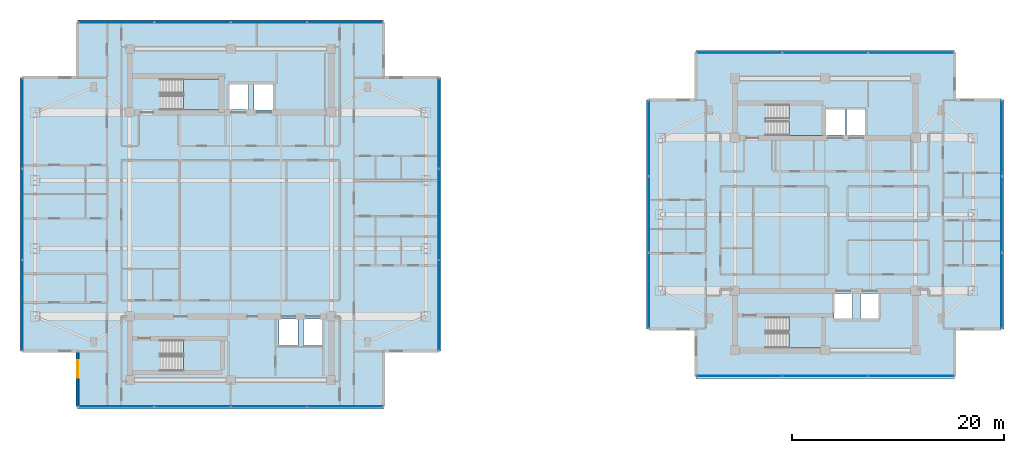
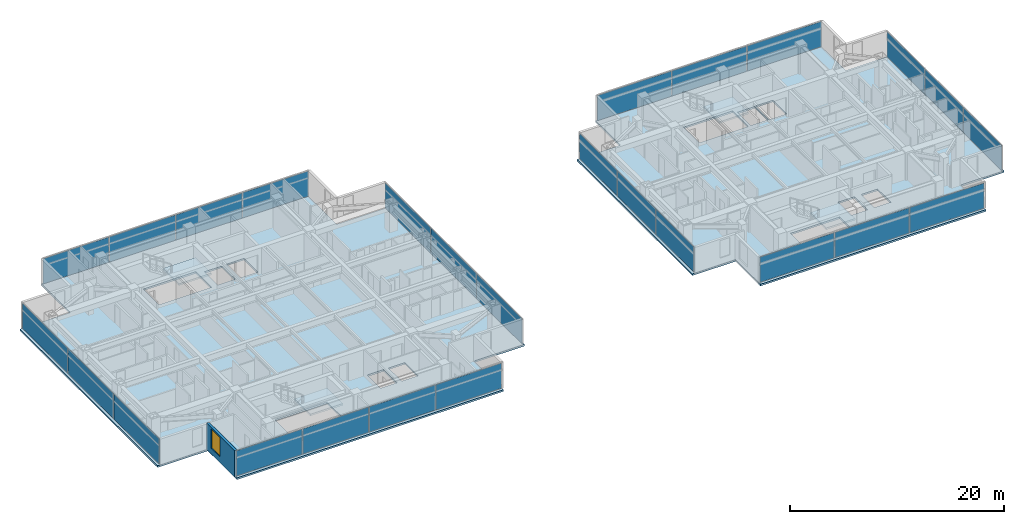
# One storey, part 11 of 24: 26 plates, 6 slabs, 1 wall, 1 window, 1 opening, 12 elements without a shape of their own.
"""IFC4 building model written with IfcOpenShell, lengths in metres."""

from ifc_helpers import new_model, si_unit, direction, frame, frame_2d, origin, origin_2d, place, context, subcontext, project, spatial, polyline, rectangle, outline, extrude, material, layer, layer_set, type_object, element, fill, aggregate, save


model = new_model("IFC4")

# Units and contexts
model_context = context("Model", 3, precision=1e-05, world=origin(), true_north=direction((0.0, 1.0)))
body_context = subcontext(model_context, "Body", "Model", "MODEL_VIEW")
ifc_project = project(units=[si_unit("LENGTHUNIT", "METRE"), si_unit("AREAUNIT", "SQUARE_METRE"), si_unit("VOLUMEUNIT", "CUBIC_METRE"), si_unit("PLANEANGLEUNIT", "RADIAN"), si_unit("MASSUNIT", "GRAM", prefix="KILO")], contexts=[model_context])

# Site, building, storey
site_placement = place(None, origin())
site = spatial("IfcSite", under=ifc_project, at=site_placement, CompositionType="ELEMENT")
building_placement = place(site_placement, origin())
building = spatial("IfcBuilding", under=site, at=building_placement, Name="Mirazonda Arch Towers", CompositionType="ELEMENT")
storey_placement = place(building_placement, frame((0.0, 0.0, 186.89990234375)))
storey = spatial("IfcBuildingStorey", under=building, at=storey_placement, Name="L53", CompositionType="ELEMENT", Elevation=186.89990234375)

# Curtain wall, plates
ifc_material_1 = material(Name="Anodised Aluminium and Low-E Glass", Category="aluminium")
curtain_wall_type = type_object("IfcCurtainWallType", Name="CW-RES-UNIT", PredefinedType="NOTDEFINED", material=ifc_material_1)
curtain_wall_1_placement = place(storey_placement, origin())
curtain_wall_1 = element("IfcCurtainWall", 1, at=curtain_wall_1_placement, inside=storey, type_object=curtain_wall_type, Name="L53 T1 S Facade CW-L53-T1-S", PredefinedType="NOTDEFINED")
ifc_material_2 = material(Name="Insulated Low-E Solar Glass", Category="glass")
ifc_layer_1 = layer(ifc_material_2, 0.0400390625, Name="PAN-CW-RES-UNIT")
ifc_layer_set_1 = layer_set([ifc_layer_1], Name="Insulated Low-E Solar Glass")
plate_type = type_object("IfcPlateType", Name="PAN-CW-RES-UNIT", PredefinedType="CURTAIN_PANEL", material=ifc_layer_set_1)
plate_1_placement = place(storey_placement, frame((31.277587890625, 9.912109375, 0.0751953125), z_axis=(0.0, 0.0, 1.0), x_axis=(-1.0, 0.0, 0.0)))
plate_1 = element("IfcPlate", 2, at=plate_1_placement, type_object=plate_type, Name="CW-104 panel 1.1", PredefinedType="CURTAIN_PANEL", context=body_context, shape_type="SweptSolid", body=[
    extrude(rectangle(XDim=7.0849609375, YDim=0.0400390625, at=origin_2d()), origin(), (0.0, 0.0, 1.0), 2.8798828125),
])
plate_2_placement = place(storey_placement, frame((24.0986328125, 9.912109375, 0.0751953125), z_axis=(0.0, 0.0, 1.0), x_axis=(-1.0, 0.0, 0.0)))
plate_2 = element("IfcPlate", 3, at=plate_2_placement, type_object=plate_type, Name="CW-104 panel 2.1", PredefinedType="CURTAIN_PANEL", context=body_context, shape_type="SweptSolid", body=[
    extrude(rectangle(XDim=7.12255859375, YDim=0.0400390625, at=origin_2d()), origin(), (0.0, 0.0, 1.0), 2.8798828125),
])
plate_3_placement = place(storey_placement, frame((16.9013671875, 9.912109375, 0.0751953125), z_axis=(0.0, 0.0, 1.0), x_axis=(-1.0, 0.0, 0.0)))
plate_3 = element("IfcPlate", 4, at=plate_3_placement, type_object=plate_type, Name="CW-104 panel 3.1", PredefinedType="CURTAIN_PANEL", context=body_context, shape_type="SweptSolid", body=[
    extrude(rectangle(XDim=7.12255859375, YDim=0.0400390625, at=origin_2d()), origin(), (0.0, 0.0, 1.0), 2.8798828125),
])
plate_4_placement = place(storey_placement, frame((9.722412109375, 9.912109375, 0.0751953125), z_axis=(0.0, 0.0, 1.0), x_axis=(-1.0, 0.0, 0.0)))
plate_4 = element("IfcPlate", 5, at=plate_4_placement, type_object=plate_type, Name="CW-104 panel 4.1", PredefinedType="CURTAIN_PANEL", context=body_context, shape_type="SweptSolid", body=[
    extrude(rectangle(XDim=7.0849609375, YDim=0.0400390625, at=origin_2d()), origin(), (0.0, 0.0, 1.0), 2.8798828125),
])
aggregate(curtain_wall_1, [plate_1, plate_2, plate_3, plate_4])

curtain_wall_2_placement = place(storey_placement, origin())
curtain_wall_2 = element("IfcCurtainWall", 6, at=curtain_wall_2_placement, inside=storey, type_object=curtain_wall_type, Name="L53 T1 E Facade CW-L53-T1-E", PredefinedType="NOTDEFINED")
plate_5_placement = place(storey_placement, frame((40.110107421875, 19.436767578125, 0.0751953125), z_axis=(0.0, 0.0, 1.0), x_axis=(0.0, 1.0, 0.0)))
plate_5 = element("IfcPlate", 7, at=plate_5_placement, type_object=plate_type, Name="CW-104 panel 1.1", PredefinedType="CURTAIN_PANEL", context=body_context, shape_type="SweptSolid", body=[
    extrude(rectangle(XDim=8.469482421875, YDim=0.0400390625, at=origin_2d()), origin(), (0.0, 0.0, 1.0), 2.8798828125),
])
plate_6_placement = place(storey_placement, frame((40.110107421875, 28.0, 0.0751953125), z_axis=(0.0, 0.0, 1.0), x_axis=(0.0, 1.0, 0.0)))
plate_6 = element("IfcPlate", 8, at=plate_6_placement, type_object=plate_type, Name="CW-104 panel 2.1", PredefinedType="CURTAIN_PANEL", context=body_context, shape_type="SweptSolid", body=[
    extrude(rectangle(XDim=8.507080078125, YDim=0.0400390625, at=origin_2d()), origin(), (0.0, 0.0, 1.0), 2.8798828125),
])
plate_7_placement = place(storey_placement, frame((40.110107421875, 36.563232421875, 0.0751953125), z_axis=(0.0, 0.0, 1.0), x_axis=(0.0, 1.0, 0.0)))
plate_7 = element("IfcPlate", 9, at=plate_7_placement, type_object=plate_type, Name="CW-104 panel 3.1", PredefinedType="CURTAIN_PANEL", context=body_context, shape_type="SweptSolid", body=[
    extrude(rectangle(XDim=8.469482421875, YDim=0.0400390625, at=origin_2d()), origin(), (0.0, 0.0, 1.0), 2.8798828125),
])
aggregate(curtain_wall_2, [plate_5, plate_6, plate_7])

curtain_wall_3_placement = place(storey_placement, origin())
curtain_wall_3 = element("IfcCurtainWall", 10, at=curtain_wall_3_placement, inside=storey, type_object=curtain_wall_type, Name="L53 T1 N Facade CW-L53-T1-N", PredefinedType="NOTDEFINED")
plate_8_placement = place(storey_placement, frame((9.722412109375, 46.087890625, 0.0751953125), z_axis=(0.0, 0.0, 1.0), x_axis=(1.0, 0.0, 0.0)))
plate_8 = element("IfcPlate", 11, at=plate_8_placement, type_object=plate_type, Name="CW-104 panel 1.1", PredefinedType="CURTAIN_PANEL", context=body_context, shape_type="SweptSolid", body=[
    extrude(rectangle(XDim=7.0849609375, YDim=0.0400390625, at=origin_2d()), origin(), (0.0, 0.0, 1.0), 2.8798828125),
])
plate_9_placement = place(storey_placement, frame((16.9013671875, 46.087890625, 0.0751953125), z_axis=(0.0, 0.0, 1.0), x_axis=(1.0, 0.0, 0.0)))
plate_9 = element("IfcPlate", 12, at=plate_9_placement, type_object=plate_type, Name="CW-104 panel 2.1", PredefinedType="CURTAIN_PANEL", context=body_context, shape_type="SweptSolid", body=[
    extrude(rectangle(XDim=7.12255859375, YDim=0.0400390625, at=origin_2d()), origin(), (0.0, 0.0, 1.0), 2.8798828125),
])
plate_10_placement = place(storey_placement, frame((24.0986328125, 46.087890625, 0.0751953125), z_axis=(0.0, 0.0, 1.0), x_axis=(1.0, 0.0, 0.0)))
plate_10 = element("IfcPlate", 13, at=plate_10_placement, type_object=plate_type, Name="CW-104 panel 3.1", PredefinedType="CURTAIN_PANEL", context=body_context, shape_type="SweptSolid", body=[
    extrude(rectangle(XDim=7.12255859375, YDim=0.0400390625, at=origin_2d()), origin(), (0.0, 0.0, 1.0), 2.8798828125),
])
plate_11_placement = place(storey_placement, frame((31.277587890625, 46.087890625, 0.0751953125), z_axis=(0.0, 0.0, 1.0), x_axis=(1.0, 0.0, 0.0)))
plate_11 = element("IfcPlate", 14, at=plate_11_placement, type_object=plate_type, Name="CW-104 panel 4.1", PredefinedType="CURTAIN_PANEL", context=body_context, shape_type="SweptSolid", body=[
    extrude(rectangle(XDim=7.0849609375, YDim=0.0400390625, at=origin_2d()), origin(), (0.0, 0.0, 1.0), 2.8798828125),
])
aggregate(curtain_wall_3, [plate_8, plate_9, plate_10, plate_11])

curtain_wall_4_placement = place(storey_placement, origin())
curtain_wall_4 = element("IfcCurtainWall", 15, at=curtain_wall_4_placement, inside=storey, type_object=curtain_wall_type, Name="L53 T1 W Facade CW-L53-T1-W", PredefinedType="NOTDEFINED")
plate_12_placement = place(storey_placement, frame((0.889892578125, 36.563232421875, 0.0751953125), z_axis=(0.0, 0.0, 1.0), x_axis=(0.0, -1.0, 0.0)))
plate_12 = element("IfcPlate", 16, at=plate_12_placement, type_object=plate_type, Name="CW-104 panel 1.1", PredefinedType="CURTAIN_PANEL", context=body_context, shape_type="SweptSolid", body=[
    extrude(rectangle(XDim=8.469482421875, YDim=0.0400390625, at=origin_2d()), origin(), (0.0, 0.0, 1.0), 2.8798828125),
])
plate_13_placement = place(storey_placement, frame((0.889892578125, 28.0, 0.0751953125), z_axis=(0.0, 0.0, 1.0), x_axis=(0.0, -1.0, 0.0)))
plate_13 = element("IfcPlate", 17, at=plate_13_placement, type_object=plate_type, Name="CW-104 panel 2.1", PredefinedType="CURTAIN_PANEL", context=body_context, shape_type="SweptSolid", body=[
    extrude(rectangle(XDim=8.507080078125, YDim=0.0400390625, at=origin_2d()), origin(), (0.0, 0.0, 1.0), 2.8798828125),
])
plate_14_placement = place(storey_placement, frame((0.889892578125, 19.436767578125, 0.0751953125), z_axis=(0.0, 0.0, 1.0), x_axis=(0.0, -1.0, 0.0)))
plate_14 = element("IfcPlate", 18, at=plate_14_placement, type_object=plate_type, Name="CW-104 panel 3.1", PredefinedType="CURTAIN_PANEL", context=body_context, shape_type="SweptSolid", body=[
    extrude(rectangle(XDim=8.469482421875, YDim=0.0400390625, at=origin_2d()), origin(), (0.0, 0.0, 1.0), 2.8798828125),
])
aggregate(curtain_wall_4, [plate_12, plate_13, plate_14])

curtain_wall_5_placement = place(storey_placement, origin())
curtain_wall_5 = element("IfcCurtainWall", 19, at=curtain_wall_5_placement, inside=storey, type_object=curtain_wall_type, Name="L53 T2 S Facade CW-L53-T2-S", PredefinedType="NOTDEFINED")
plate_15_placement = place(storey_placement, frame((84.598388671875, 12.7783203125, 0.0751953125), z_axis=(0.0, 0.0, 1.0), x_axis=(-1.0, 0.0, 0.0)))
plate_15 = element("IfcPlate", 20, at=plate_15_placement, type_object=plate_type, Name="CW-104 panel 1.1", PredefinedType="CURTAIN_PANEL", context=body_context, shape_type="SweptSolid", body=[
    extrude(rectangle(XDim=8.004638671875, YDim=0.0400390625, at=origin_2d()), origin(), (0.0, 0.0, 1.0), 2.8798828125),
])
plate_16_placement = place(storey_placement, frame((76.5, 12.7783203125, 0.0751953125), z_axis=(0.0, 0.0, 1.0), x_axis=(-1.0, 0.0, 0.0)))
plate_16 = element("IfcPlate", 21, at=plate_16_placement, type_object=plate_type, Name="CW-104 panel 2.1", PredefinedType="CURTAIN_PANEL", context=body_context, shape_type="SweptSolid", body=[
    extrude(rectangle(XDim=8.042236328125, YDim=0.0400390625, at=origin_2d()), origin(), (0.0, 0.0, 1.0), 2.8798828125),
])
plate_17_placement = place(storey_placement, frame((68.401611328125, 12.7783203125, 0.0751953125), z_axis=(0.0, 0.0, 1.0), x_axis=(-1.0, 0.0, 0.0)))
plate_17 = element("IfcPlate", 22, at=plate_17_placement, type_object=plate_type, Name="CW-104 panel 3.1", PredefinedType="CURTAIN_PANEL", context=body_context, shape_type="SweptSolid", body=[
    extrude(rectangle(XDim=8.004638671875, YDim=0.0400390625, at=origin_2d()), origin(), (0.0, 0.0, 1.0), 2.8798828125),
])
aggregate(curtain_wall_5, [plate_15, plate_16, plate_17])

curtain_wall_6_placement = place(storey_placement, origin())
curtain_wall_6 = element("IfcCurtainWall", 23, at=curtain_wall_6_placement, inside=storey, type_object=curtain_wall_type, Name="L53 T2 E Facade CW-L53-T2-E", PredefinedType="NOTDEFINED")
plate_18_placement = place(storey_placement, frame((93.115478515625, 20.83056640625, 0.0751953125), z_axis=(0.0, 0.0, 1.0), x_axis=(0.0, 1.0, 0.0)))
plate_18 = element("IfcPlate", 24, at=plate_18_placement, type_object=plate_type, Name="CW-104 panel 1.1", PredefinedType="CURTAIN_PANEL", context=body_context, shape_type="SweptSolid", body=[
    extrude(rectangle(XDim=7.07568359375, YDim=0.0400390625, at=origin_2d()), origin(), (0.0, 0.0, 1.0), 2.8798828125),
])
plate_19_placement = place(storey_placement, frame((93.115478515625, 28.0, 0.0751953125), z_axis=(0.0, 0.0, 1.0), x_axis=(0.0, 1.0, 0.0)))
plate_19 = element("IfcPlate", 25, at=plate_19_placement, type_object=plate_type, Name="CW-104 panel 2.1", PredefinedType="CURTAIN_PANEL", context=body_context, shape_type="SweptSolid", body=[
    extrude(rectangle(XDim=7.113037109375, YDim=0.0400390625, at=origin_2d()), origin(), (0.0, 0.0, 1.0), 2.8798828125),
])
plate_20_placement = place(storey_placement, frame((93.115478515625, 35.16943359375, 0.0751953125), z_axis=(0.0, 0.0, 1.0), x_axis=(0.0, 1.0, 0.0)))
plate_20 = element("IfcPlate", 26, at=plate_20_placement, type_object=plate_type, Name="CW-104 panel 3.1", PredefinedType="CURTAIN_PANEL", context=body_context, shape_type="SweptSolid", body=[
    extrude(rectangle(XDim=7.07568359375, YDim=0.0400390625, at=origin_2d()), origin(), (0.0, 0.0, 1.0), 2.8798828125),
])
aggregate(curtain_wall_6, [plate_18, plate_19, plate_20])

curtain_wall_7_placement = place(storey_placement, origin())
curtain_wall_7 = element("IfcCurtainWall", 27, at=curtain_wall_7_placement, inside=storey, type_object=curtain_wall_type, Name="L53 T2 N Facade CW-L53-T2-N", PredefinedType="NOTDEFINED")
plate_21_placement = place(storey_placement, frame((68.401611328125, 43.2216796875, 0.0751953125), z_axis=(0.0, 0.0, 1.0), x_axis=(1.0, 0.0, 0.0)))
plate_21 = element("IfcPlate", 28, at=plate_21_placement, type_object=plate_type, Name="CW-104 panel 1.1", PredefinedType="CURTAIN_PANEL", context=body_context, shape_type="SweptSolid", body=[
    extrude(rectangle(XDim=8.004638671875, YDim=0.0400390625, at=origin_2d()), origin(), (0.0, 0.0, 1.0), 2.8798828125),
])
plate_22_placement = place(storey_placement, frame((76.5, 43.2216796875, 0.0751953125), z_axis=(0.0, 0.0, 1.0), x_axis=(1.0, 0.0, 0.0)))
plate_22 = element("IfcPlate", 29, at=plate_22_placement, type_object=plate_type, Name="CW-104 panel 2.1", PredefinedType="CURTAIN_PANEL", context=body_context, shape_type="SweptSolid", body=[
    extrude(rectangle(XDim=8.042236328125, YDim=0.0400390625, at=origin_2d()), origin(), (0.0, 0.0, 1.0), 2.8798828125),
])
plate_23_placement = place(storey_placement, frame((84.598388671875, 43.2216796875, 0.0751953125), z_axis=(0.0, 0.0, 1.0), x_axis=(1.0, 0.0, 0.0)))
plate_23 = element("IfcPlate", 30, at=plate_23_placement, type_object=plate_type, Name="CW-104 panel 3.1", PredefinedType="CURTAIN_PANEL", context=body_context, shape_type="SweptSolid", body=[
    extrude(rectangle(XDim=8.004638671875, YDim=0.0400390625, at=origin_2d()), origin(), (0.0, 0.0, 1.0), 2.8798828125),
])
aggregate(curtain_wall_7, [plate_21, plate_22, plate_23])

curtain_wall_8_placement = place(storey_placement, origin())
curtain_wall_8 = element("IfcCurtainWall", 31, at=curtain_wall_8_placement, inside=storey, type_object=curtain_wall_type, Name="L53 T2 W Facade CW-L53-T2-W", PredefinedType="NOTDEFINED")
plate_24_placement = place(storey_placement, frame((59.884521484375, 35.16943359375, 0.0751953125), z_axis=(0.0, 0.0, 1.0), x_axis=(0.0, -1.0, 0.0)))
plate_24 = element("IfcPlate", 32, at=plate_24_placement, type_object=plate_type, Name="CW-104 panel 1.1", PredefinedType="CURTAIN_PANEL", context=body_context, shape_type="SweptSolid", body=[
    extrude(rectangle(XDim=7.07568359375, YDim=0.0400390625, at=origin_2d()), origin(), (0.0, 0.0, 1.0), 2.8798828125),
])
plate_25_placement = place(storey_placement, frame((59.884521484375, 28.0, 0.0751953125), z_axis=(0.0, 0.0, 1.0), x_axis=(0.0, -1.0, 0.0)))
plate_25 = element("IfcPlate", 33, at=plate_25_placement, type_object=plate_type, Name="CW-104 panel 2.1", PredefinedType="CURTAIN_PANEL", context=body_context, shape_type="SweptSolid", body=[
    extrude(rectangle(XDim=7.113037109375, YDim=0.0400390625, at=origin_2d()), origin(), (0.0, 0.0, 1.0), 2.8798828125),
])
plate_26_placement = place(storey_placement, frame((59.884521484375, 20.83056640625, 0.0751953125), z_axis=(0.0, 0.0, 1.0), x_axis=(0.0, -1.0, 0.0)))
plate_26 = element("IfcPlate", 34, at=plate_26_placement, type_object=plate_type, Name="CW-104 panel 3.1", PredefinedType="CURTAIN_PANEL", context=body_context, shape_type="SweptSolid", body=[
    extrude(rectangle(XDim=7.07568359375, YDim=0.0400390625, at=origin_2d()), origin(), (0.0, 0.0, 1.0), 2.8798828125),
])
aggregate(curtain_wall_8, [plate_24, plate_25, plate_26])

# Stair, slab
ifc_material_3 = material(Name="Concrete C40/50", Category="concrete")
stair_type = type_object("IfcStairType", Name="STAIR-CORE-1400", PredefinedType="HALF_TURN_STAIR", material=ifc_material_3)
stair_1_placement = place(storey_placement, origin())
stair_1 = element("IfcStair", 35, at=stair_1_placement, inside=storey, type_object=stair_type, Name="L53 Protected Exit Stair ST-T1N", PredefinedType="HALF_TURN_STAIR")
ifc_layer_2 = layer(ifc_material_3, 0.18994140625, Name="SLAB-LANDING-190")
ifc_layer_set_2 = layer_set([ifc_layer_2], Name="Concrete C40/50")
slab_type_1 = type_object("IfcSlabType", Name="SLAB-LANDING-190", PredefinedType="LANDING", material=ifc_layer_set_2)
slab_1_placement = place(storey_placement, frame((0.0, 0.0, 1.425048828125)))
slab_1 = element("IfcSlab", 36, at=slab_1_placement, type_object=slab_type_1, Name="ST-T1N landing 1", PredefinedType="LANDING", context=body_context, shape_type="SweptSolid", body=[
    extrude(outline(polyline([(16.090087890625, 37.820068359375), (19.60009765625, 37.820068359375), (19.60009765625, 40.760009765625), (16.090087890625, 40.760009765625), (16.090087890625, 37.820068359375)])), origin(), (0.0, 0.0, 1.0), 0.199951171875),
])
aggregate(stair_1, [slab_1])

stair_2_placement = place(storey_placement, origin())
stair_2 = element("IfcStair", 37, at=stair_2_placement, inside=storey, type_object=stair_type, Name="L53 Protected Exit Stair ST-T1S", PredefinedType="HALF_TURN_STAIR")
slab_2_placement = place(storey_placement, frame((0.0, 0.0, 1.425048828125)))
slab_2 = element("IfcSlab", 38, at=slab_2_placement, type_object=slab_type_1, Name="ST-T1S landing 1", PredefinedType="LANDING", context=body_context, shape_type="SweptSolid", body=[
    extrude(outline(polyline([(16.090087890625, 13.25), (19.60009765625, 13.25), (19.60009765625, 16.18994140625), (16.090087890625, 16.18994140625), (16.090087890625, 13.25)])), origin(), (0.0, 0.0, 1.0), 0.199951171875),
])
aggregate(stair_2, [slab_2])

stair_3_placement = place(storey_placement, origin())
stair_3 = element("IfcStair", 39, at=stair_3_placement, inside=storey, type_object=stair_type, Name="L53 Protected Exit Stair ST-T2N", PredefinedType="HALF_TURN_STAIR")
slab_3_placement = place(storey_placement, frame((0.0, 0.0, 1.425048828125)))
slab_3 = element("IfcSlab", 40, at=slab_3_placement, type_object=slab_type_1, Name="ST-T2N landing 1", PredefinedType="LANDING", context=body_context, shape_type="SweptSolid", body=[
    extrude(outline(polyline([(73.090087890625, 35.419921875), (76.22998046875, 35.419921875), (76.22998046875, 38.360107421875), (73.090087890625, 38.360107421875), (73.090087890625, 35.419921875)])), origin(), (0.0, 0.0, 1.0), 0.199951171875),
])
aggregate(stair_3, [slab_3])

stair_4_placement = place(storey_placement, origin())
stair_4 = element("IfcStair", 41, at=stair_4_placement, inside=storey, type_object=stair_type, Name="L53 Protected Exit Stair ST-T2S", PredefinedType="HALF_TURN_STAIR")
slab_4_placement = place(storey_placement, frame((0.0, 0.0, 1.425048828125)))
slab_4 = element("IfcSlab", 42, at=slab_4_placement, type_object=slab_type_1, Name="ST-T2S landing 1", PredefinedType="LANDING", context=body_context, shape_type="SweptSolid", body=[
    extrude(outline(polyline([(73.090087890625, 15.419921875), (76.22998046875, 15.419921875), (76.22998046875, 18.360107421875), (73.090087890625, 18.360107421875), (73.090087890625, 15.419921875)])), origin(), (0.0, 0.0, 1.0), 0.199951171875),
])
aggregate(stair_4, [slab_4])

# Slabs
ifc_layer_3 = layer(ifc_material_3, 0.199951171875, Name="SLAB-TWR-200")
ifc_layer_set_3 = layer_set([ifc_layer_3], Name="Concrete C40/50")
slab_type_2 = type_object("IfcSlabType", Name="SLAB-TWR-200", PredefinedType="FLOOR", material=ifc_layer_set_3)
slab_5_placement = place(storey_placement, frame((0.0, 0.0, -0.199951171875)))
element("IfcSlab", 43, at=slab_5_placement, inside=storey, type_object=slab_type_2, Name="L53 Tower 1 Floor Slab", PredefinedType="FLOOR", context=body_context, shape_type="SweptSolid", body=[
    extrude(outline(polyline([(6.10498046875, 9.69189453125), (34.89501953125, 9.69189453125), (34.89501953125, 15.126953125), (40.330078125, 15.126953125), (40.330078125, 40.873046875), (34.89501953125, 40.873046875), (34.89501953125, 46.30810546875), (6.10498046875, 46.30810546875), (6.10498046875, 40.873046875), (0.669921875, 40.873046875), (0.669921875, 15.126953125), (6.10498046875, 15.126953125), (6.10498046875, 9.69189453125)]), holes=[polyline([(27.360107421875, 18.139892578125), (29.139892578125, 18.139892578125), (29.139892578125, 15.659912109375), (27.360107421875, 15.659912109375), (27.360107421875, 18.139892578125)]), polyline([(25.06005859375, 18.139892578125), (26.840087890625, 18.139892578125), (26.840087890625, 15.659912109375), (25.06005859375, 15.659912109375), (25.06005859375, 18.139892578125)]), polyline([(22.7099609375, 40.389892578125), (24.590087890625, 40.389892578125), (24.590087890625, 37.81005859375), (22.7099609375, 37.81005859375), (22.7099609375, 40.389892578125)]), polyline([(20.31005859375, 37.860107421875), (20.31005859375, 40.340087890625), (22.18994140625, 40.340087890625), (22.18994140625, 37.860107421875), (20.31005859375, 37.860107421875)]), polyline([(19.60009765625, 13.25), (13.925048828125, 13.25), (13.925048828125, 16.18994140625), (19.60009765625, 16.18994140625), (19.60009765625, 13.25)]), polyline([(13.925048828125, 37.820068359375), (13.925048828125, 40.760009765625), (19.60009765625, 40.760009765625), (19.60009765625, 37.820068359375), (13.925048828125, 37.820068359375)])]), origin(), (0.0, 0.0, 1.0), 0.199951171875),
])
slab_6_placement = place(storey_placement, frame((0.0, 0.0, -0.199951171875)))
element("IfcSlab", 44, at=slab_6_placement, inside=storey, type_object=slab_type_2, Name="L53 Tower 2 Floor Slab", PredefinedType="FLOOR", context=body_context, shape_type="SweptSolid", body=[
    extrude(outline(polyline([(64.32421875, 12.55810546875), (88.67578125, 12.55810546875), (88.67578125, 17.218017578125), (93.33544921875, 17.218017578125), (93.33544921875, 38.781982421875), (88.67578125, 38.781982421875), (88.67578125, 43.44189453125), (64.32421875, 43.44189453125), (64.32421875, 38.781982421875), (59.66455078125, 38.781982421875), (59.66455078125, 17.218017578125), (64.32421875, 17.218017578125), (64.32421875, 12.55810546875)]), holes=[polyline([(79.81005859375, 20.5400390625), (81.590087890625, 20.5400390625), (81.590087890625, 18.06005859375), (79.81005859375, 18.06005859375), (79.81005859375, 20.5400390625)]), polyline([(78.47998046875, 37.989990234375), (80.360107421875, 37.989990234375), (80.360107421875, 35.409912109375), (78.47998046875, 35.409912109375), (78.47998046875, 37.989990234375)]), polyline([(77.31005859375, 20.5400390625), (79.090087890625, 20.5400390625), (79.090087890625, 18.06005859375), (77.31005859375, 18.06005859375), (77.31005859375, 20.5400390625)]), polyline([(76.510009765625, 35.4599609375), (76.510009765625, 37.93994140625), (78.389892578125, 37.93994140625), (78.389892578125, 35.4599609375), (76.510009765625, 35.4599609375)]), polyline([(76.22998046875, 15.419921875), (70.925048828125, 15.419921875), (70.925048828125, 18.360107421875), (76.22998046875, 18.360107421875), (76.22998046875, 15.419921875)]), polyline([(70.925048828125, 35.419921875), (70.925048828125, 38.360107421875), (76.22998046875, 38.360107421875), (76.22998046875, 35.419921875), (70.925048828125, 35.419921875)])]), origin(), (0.0, 0.0, 1.0), 0.199951171875),
])

# Wall, opening, window
ifc_material_4 = material(Name="Precast Concrete C40/50", Category="concrete")
ifc_layer_4 = layer(ifc_material_4, 0.280029296875, Name="WALL-EXT-WALL-280")
ifc_layer_set_4 = layer_set([ifc_layer_4], Name="Precast Concrete C40/50")
wall_type = type_object("IfcWallType", Name="WALL-EXT-WALL-280", PredefinedType="SOLIDWALL", material=ifc_layer_set_4)
wall_placement = place(storey_placement, frame((6.10498046875, 15.126953125, 0.0), z_axis=(0.0, 0.0, 1.0), x_axis=(0.0, -1.0, 0.0)))
wall = element("IfcWall", 45, at=wall_placement, inside=storey, type_object=wall_type, Name="L53 T1 Notched SW Corner Wall WL-L53-T1-CSW", PredefinedType="SOLIDWALL", context=body_context, shape_type="SweptSolid", body=[
    extrude(rectangle(XDim=5.21484375, YDim=0.280029296875, at=frame_2d((2.607421875, 0.0))), origin(), (0.0, 0.0, 1.0), 3.030029296875),
])
opening_placement = place(wall_placement, frame((0.85009765625, 0.0, 0.679931640625)))
opening = element("IfcOpeningElement", 46, at=opening_placement, cuts=wall, Name="Opening WN-115", PredefinedType="OPENING", context=body_context, shape_type="SweptSolid", body=[
    extrude(rectangle(XDim=1.64990234375, YDim=2.199951171875, at=frame_2d((0.824951171875, 1.10009765625))), frame((0.0, 0.14990234375, 0.0), z_axis=(0.0, -1.0, 0.0), x_axis=(1.0, 0.0, 0.0)), (0.0, 0.0, 1.0), 0.300048828125),
])
window_type = type_object("IfcWindowType", Name="WIN-RES-1650x2200", PartitioningType="SINGLE_PANEL", PredefinedType="WINDOW", material=ifc_material_2)
window_placement = place(opening_placement, origin())
window = element("IfcWindow", 47, at=window_placement, inside=storey, type_object=window_type, Name="L53 Punched Facade Window WN-L53-T1-CSW", OverallHeight=2.199951171875, OverallWidth=1.64990234375, PartitioningType="SINGLE_PANEL", PredefinedType="WINDOW", context=body_context, shape_type="SweptSolid", body=[
    extrude(rectangle(XDim=1.64990234375, YDim=2.199951171875, at=frame_2d((0.824951171875, 1.10009765625))), frame((0.0, 0.030029296875, 0.0), z_axis=(0.0, -1.0, 0.0), x_axis=(1.0, 0.0, 0.0)), (0.0, 0.0, 1.0), 0.06005859375),
])
fill(opening, window)

save(model, "model.ifc")
